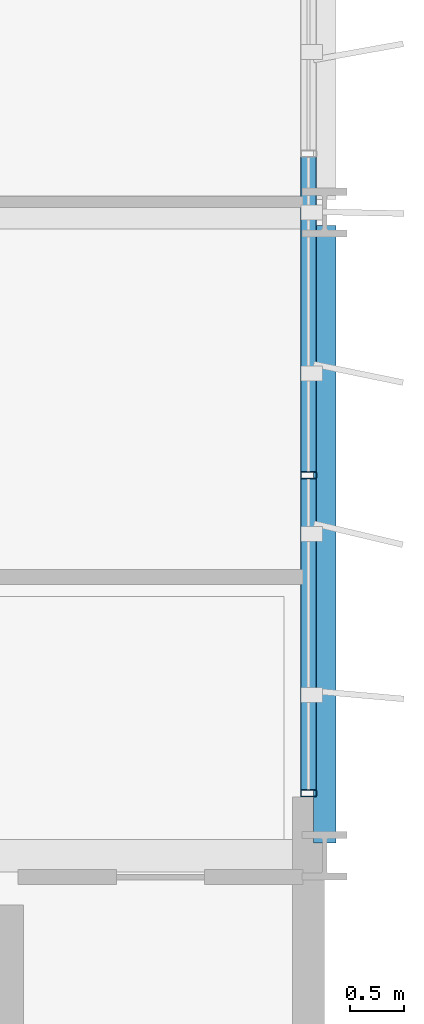
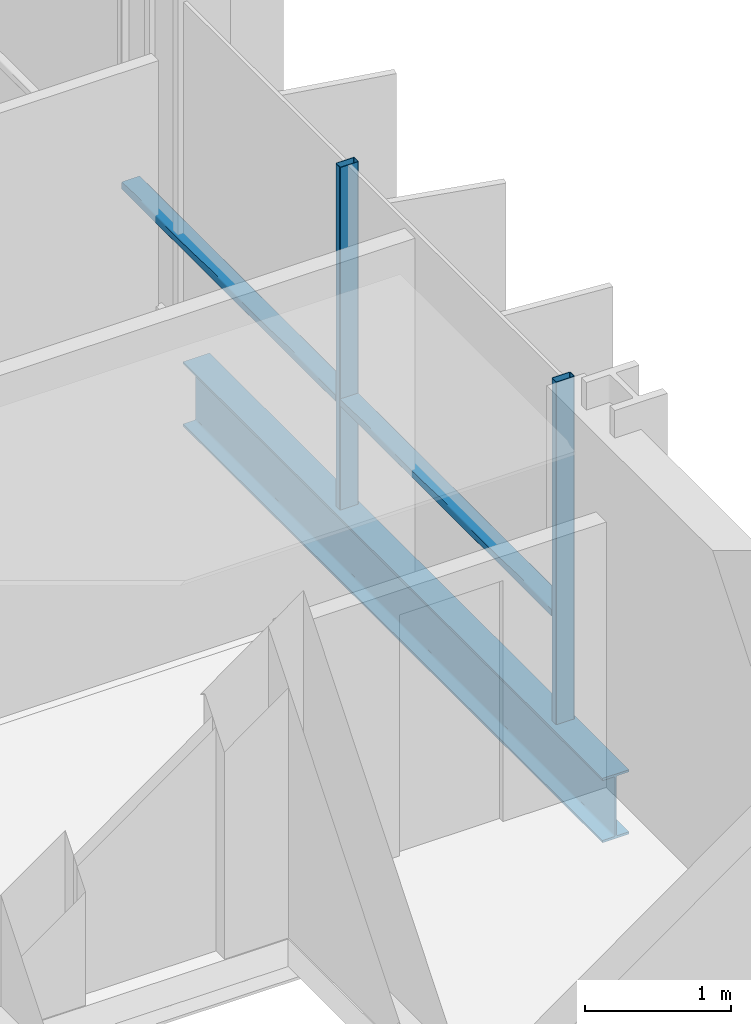
# One storey, part 15 of 38: 4 members, 1 beam, 1 element without a shape of its own.
"""IFC4 building model written with IfcOpenShell, lengths in metres."""

from ifc_helpers import new_model, si_unit, direction, frame, origin, origin_2d, place, context, subcontext, project, spatial, hollow_rectangle, i_section, extrude, material, layer, layer_set, material_profile, profile_set, type_object, element, aggregate, save


model = new_model("IFC4")

# Units and contexts
model_context = context("Model", 3, precision=1e-05, world=origin(), true_north=direction((0.0, 1.0)))
body_context = subcontext(model_context, "Body", "Model", "MODEL_VIEW")
ifc_project = project(units=[si_unit("LENGTHUNIT", "METRE"), si_unit("AREAUNIT", "SQUARE_METRE"), si_unit("VOLUMEUNIT", "CUBIC_METRE"), si_unit("PLANEANGLEUNIT", "RADIAN"), si_unit("MASSUNIT", "GRAM", prefix="KILO")], contexts=[model_context])

# Site, building, storey
site_placement = place(None, origin())
site = spatial("IfcSite", under=ifc_project, at=site_placement, CompositionType="ELEMENT")
building_placement = place(site_placement, origin())
building = spatial("IfcBuilding", under=site, at=building_placement, Name="Brevholm Reach", CompositionType="ELEMENT")
storey_placement = place(building_placement, frame((0.0, 0.0, 65.199951171875)))
storey = spatial("IfcBuildingStorey", under=building, at=storey_placement, Name="L18", CompositionType="ELEMENT", Elevation=65.199951171875)

# Beam
ifc_material_1 = material(Name="Structural Steel S355J2", Category="steel")
ifc_material_profile_1 = material_profile(ifc_material_1, i_section(OverallWidth=0.210693359375, OverallDepth=0.53955078125, WebThickness=0.01171875, FlangeThickness=0.018798828125, FilletRadius=0.0126953125, at=origin_2d()), Name="UKB 533x210x109")
ifc_profile_set_1 = profile_set([ifc_material_profile_1], Name="Structural Steel S355J2")
beam_type = type_object("IfcBeamType", Name="BM-SP539", PredefinedType="SPANDREL", material=ifc_profile_set_1)
beam_placement = place(storey_placement, frame((60.0, 10.1201171875, -0.499755859375), z_axis=(0.0, 1.0, 0.0), x_axis=(-1.0, 0.0, 0.0)))
element("IfcBeam", 1, at=beam_placement, inside=storey, type_object=beam_type, Name="L18 SP-01B Framing Beam", PredefinedType="SPANDREL", context=body_context, shape_type="SweptSolid", body=[
    extrude(i_section(OverallWidth=0.210693359375, OverallDepth=0.53955078125, WebThickness=0.01171875, FlangeThickness=0.018798828125, FilletRadius=0.0126953125, at=origin_2d()), origin(), (0.0, 0.0, 1.0), 5.759765625),
])

# Curtain wall, members
ifc_material_2 = material(Name="Dark Anodised Aluminium 6063-T6 and Solar-Control Glass", Category="aluminium")
ifc_layer = layer(ifc_material_2, 0.14990234375)
ifc_layer_set = layer_set([ifc_layer], Name="Dark Anodised Aluminium 6063-T6 and Solar-Control Glass")
curtain_wall_type = type_object("IfcCurtainWallType", Name="CW-01", PredefinedType="NOTDEFINED", material=ifc_layer_set)
curtain_wall_placement = place(storey_placement, origin())
curtain_wall = element("IfcCurtainWall", 2, at=curtain_wall_placement, inside=storey, type_object=curtain_wall_type, Name="L18 Curtain Wall CW-01", PredefinedType="NOTDEFINED")
ifc_material_3 = material(Name="Dark Anodised Aluminium 6063-T6", Category="aluminium")
ifc_material_profile_2 = material_profile(ifc_material_3, hollow_rectangle(XDim=0.06494140625, YDim=0.14990234375, WallThickness=0.0048828125, InnerFilletRadius=0.0048828125, OuterFilletRadius=0.010009765625, at=origin_2d()), Name="RHS 150x65x5")
ifc_profile_set_2 = profile_set([ifc_material_profile_2], Name="Dark Anodised Aluminium 6063-T6")
member_type_1 = type_object("IfcMemberType", Name="CWM-150", PredefinedType="MULLION", material=ifc_profile_set_2)
member_1_placement = place(storey_placement, frame((59.85009765625, 10.58251953125, 0.0), z_axis=(0.0, 0.0, 1.0), x_axis=(0.0, 1.0, 0.0)))
member_1 = element("IfcMember", 3, at=member_1_placement, type_object=member_type_1, Name="CM-150 Mullion 1", PredefinedType="MULLION", context=body_context, shape_type="SweptSolid", body=[
    extrude(hollow_rectangle(XDim=0.06494140625, YDim=0.14990234375, WallThickness=0.0048828125, InnerFilletRadius=0.0048828125, OuterFilletRadius=0.010009765625, at=origin_2d()), origin(), (0.0, 0.0, 1.0), 2.8701171875),
])
member_2_placement = place(storey_placement, frame((59.85009765625, 13.550048828125, 0.0), z_axis=(0.0, 0.0, 1.0), x_axis=(0.0, 1.0, 0.0)))
member_2 = element("IfcMember", 4, at=member_2_placement, type_object=member_type_1, Name="CM-150 Mullion 2", PredefinedType="MULLION", context=body_context, shape_type="SweptSolid", body=[
    extrude(hollow_rectangle(XDim=0.06494140625, YDim=0.14990234375, WallThickness=0.0048828125, InnerFilletRadius=0.0048828125, OuterFilletRadius=0.010009765625, at=origin_2d()), origin(), (0.0, 0.0, 1.0), 2.8701171875),
])
ifc_material_4 = material(Name="Dark Anodised Aluminium 6063-T6", Category="aluminium")
ifc_material_profile_3 = material_profile(ifc_material_4, hollow_rectangle(XDim=0.06494140625, YDim=0.14990234375, WallThickness=0.0048828125, InnerFilletRadius=0.0048828125, OuterFilletRadius=0.010009765625, at=origin_2d()), Name="RHS 150x65x5")
ifc_profile_set_3 = profile_set([ifc_material_profile_3], Name="Dark Anodised Aluminium 6063-T6")
member_type_2 = type_object("IfcMemberType", Name="CWT-150", PredefinedType="NOTDEFINED", material=ifc_profile_set_3)
member_3_placement = place(storey_placement, frame((59.85009765625, 10.614990234375, 0.900146484375), z_axis=(0.0, 1.0, 0.0), x_axis=(0.0, 0.0, 1.0)))
member_3 = element("IfcMember", 5, at=member_3_placement, type_object=member_type_2, Name="CT-150 Transom 1.1", ObjectType="TRANSOM", PredefinedType="USERDEFINED", context=body_context, shape_type="SweptSolid", body=[
    extrude(hollow_rectangle(XDim=0.06494140625, YDim=0.14990234375, WallThickness=0.0048828125, InnerFilletRadius=0.0048828125, OuterFilletRadius=0.010009765625, at=origin_2d()), origin(), (0.0, 0.0, 1.0), 2.902587890625),
])
member_4_placement = place(storey_placement, frame((59.85009765625, 13.58251953125, 0.900146484375), z_axis=(0.0, 1.0, 0.0), x_axis=(0.0, 0.0, 1.0)))
member_4 = element("IfcMember", 6, at=member_4_placement, type_object=member_type_2, Name="CT-150 Transom 2.1", ObjectType="TRANSOM", PredefinedType="USERDEFINED", context=body_context, shape_type="SweptSolid", body=[
    extrude(hollow_rectangle(XDim=0.06494140625, YDim=0.14990234375, WallThickness=0.0048828125, InnerFilletRadius=0.0048828125, OuterFilletRadius=0.010009765625, at=origin_2d()), origin(), (0.0, 0.0, 1.0), 2.93505859375),
])
aggregate(curtain_wall, [member_1, member_2, member_3, member_4])

save(model, "model.ifc")
